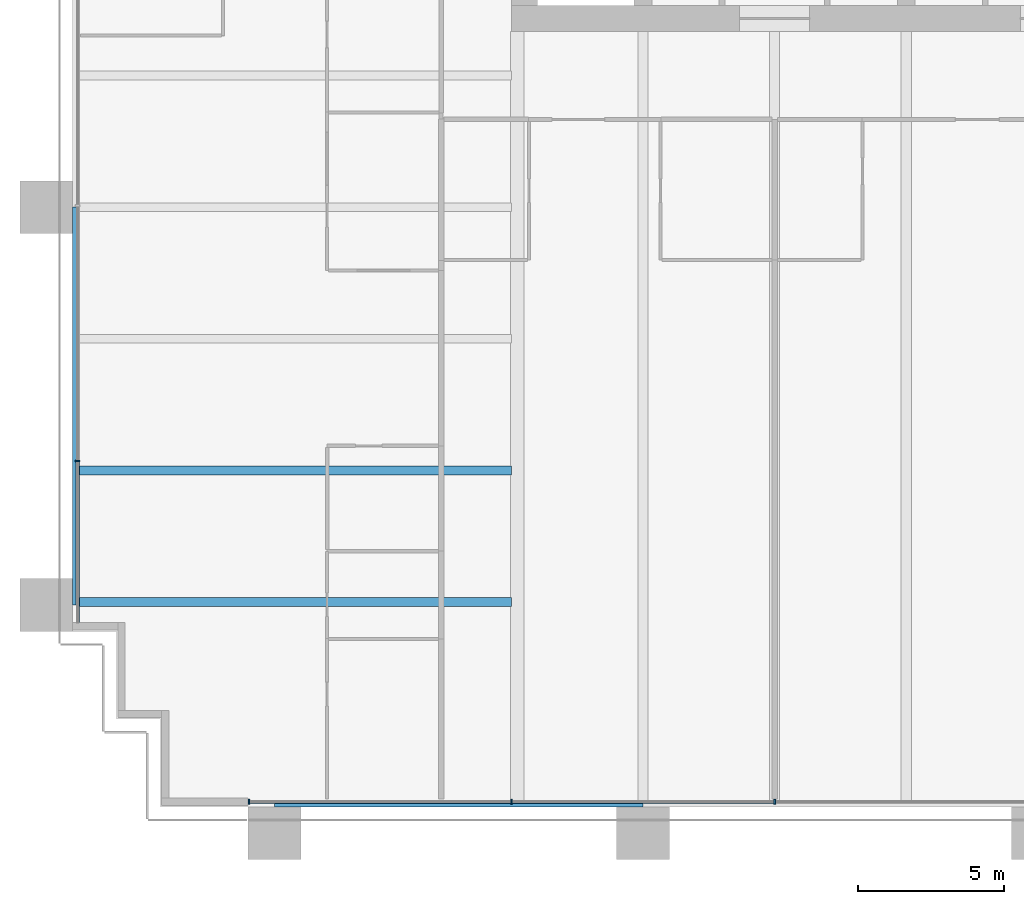
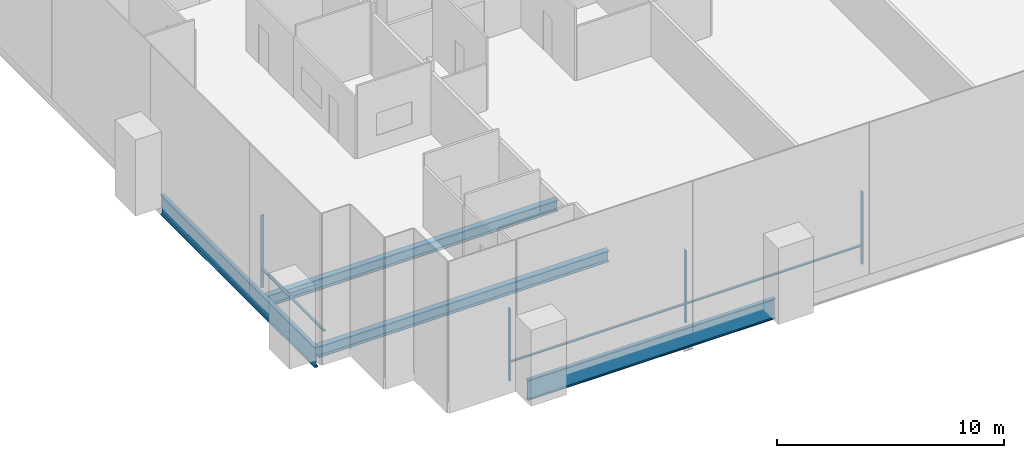
# One storey, part 2 of 18: 7 members, 4 beams, 2 elements without a shape of their own.
"""IFC4 building model written with IfcOpenShell, lengths in metres."""

from ifc_helpers import new_model, si_unit, direction, frame, origin, origin_2d, place, context, subcontext, project, spatial, rectangle, i_section, extrude, material, material_profile, profile_set, type_object, element, aggregate, save


model = new_model("IFC4")

# Units and contexts
model_context = context("Model", 3, precision=1e-05, world=origin(), true_north=direction((0.0, 1.0)))
body_context = subcontext(model_context, "Body", "Model", "MODEL_VIEW")
ifc_project = project(units=[si_unit("LENGTHUNIT", "METRE"), si_unit("AREAUNIT", "SQUARE_METRE"), si_unit("VOLUMEUNIT", "CUBIC_METRE"), si_unit("PLANEANGLEUNIT", "RADIAN"), si_unit("MASSUNIT", "GRAM", prefix="KILO")], contexts=[model_context])

# Site, building, storey
site_placement = place(None, origin())
site = spatial("IfcSite", under=ifc_project, at=site_placement, CompositionType="ELEMENT")
building_placement = place(site_placement, origin())
building = spatial("IfcBuilding", under=site, at=building_placement, Name="Rattan Terrace Tower", CompositionType="ELEMENT")
storey_placement = place(building_placement, frame((0.0, 0.0, 32.39990234375)))
storey = spatial("IfcBuildingStorey", under=building, at=storey_placement, Name="L06", CompositionType="ELEMENT", Elevation=32.39990234375)

# Curtain wall, member
ifc_material_1 = material(Name="Aluminium and glass", Category="aluminium")
curtain_wall_type = type_object("IfcCurtainWallType", Name="Facade Unitised Curtain Wall", PredefinedType="NOTDEFINED", material=ifc_material_1)
curtain_wall_1_placement = place(storey_placement, origin())
curtain_wall_1 = element("IfcCurtainWall", 1, at=curtain_wall_1_placement, inside=storey, type_object=curtain_wall_type, Name="Curtain wall L06-3", PredefinedType="NOTDEFINED")
ifc_material_2 = material(Name="Aluminium", Category="aluminium")
ifc_material_profile_1 = material_profile(ifc_material_2, rectangle(XDim=0.06005859375, YDim=0.159912109375, at=origin_2d()), Name="Aluminium 60x160")
ifc_profile_set_1 = profile_set([ifc_material_profile_1], Name="Aluminium")
member_type_1 = type_object("IfcMemberType", Name="Facade CW Mullion 60x160", PredefinedType="MULLION", material=ifc_profile_set_1)
member_1_placement = place(storey_placement, frame((-32.830078125, -22.180908203125, 0.0), z_axis=(0.0, 0.0, 1.0), x_axis=(0.0, -1.0, 0.0)))
member_1 = element("IfcMember", 2, at=member_1_placement, type_object=member_type_1, Name="Mullion cwl-L06-003.4", PredefinedType="MULLION", context=body_context, shape_type="SweptSolid", body=[
    extrude(rectangle(XDim=0.06005859375, YDim=0.159912109375, at=origin_2d()), origin(), (0.0, 0.0, 1.0), 3.900146484375),
])

# Curtain wall, members
curtain_wall_2_placement = place(storey_placement, origin())
curtain_wall_2 = element("IfcCurtainWall", 3, at=curtain_wall_2_placement, inside=storey, type_object=curtain_wall_type, Name="Curtain wall L06-4", PredefinedType="NOTDEFINED")
member_2_placement = place(storey_placement, frame((-26.969970703125, -33.830078125, 0.0), z_axis=(0.0, 0.0, 1.0), x_axis=(1.0, 0.0, 0.0)))
member_2 = element("IfcMember", 4, at=member_2_placement, type_object=member_type_1, Name="Mullion cwl-L06-004.1", PredefinedType="MULLION", context=body_context, shape_type="SweptSolid", body=[
    extrude(rectangle(XDim=0.06005859375, YDim=0.159912109375, at=origin_2d()), origin(), (0.0, 0.0, 1.0), 3.900146484375),
])
member_3_placement = place(storey_placement, frame((-18.0, -33.830078125, 0.0), z_axis=(0.0, 0.0, 1.0), x_axis=(1.0, 0.0, 0.0)))
member_3 = element("IfcMember", 5, at=member_3_placement, type_object=member_type_1, Name="Mullion cwl-L06-004.2", PredefinedType="MULLION", context=body_context, shape_type="SweptSolid", body=[
    extrude(rectangle(XDim=0.06005859375, YDim=0.159912109375, at=origin_2d()), origin(), (0.0, 0.0, 1.0), 3.900146484375),
])
member_4_placement = place(storey_placement, frame((-9.0, -33.830078125, 0.0), z_axis=(0.0, 0.0, 1.0), x_axis=(1.0, 0.0, 0.0)))
member_4 = element("IfcMember", 6, at=member_4_placement, type_object=member_type_1, Name="Mullion cwl-L06-004.3", PredefinedType="MULLION", context=body_context, shape_type="SweptSolid", body=[
    extrude(rectangle(XDim=0.06005859375, YDim=0.159912109375, at=origin_2d()), origin(), (0.0, 0.0, 1.0), 3.900146484375),
])

# Member
ifc_material_3 = material(Name="Aluminium", Category="aluminium")
ifc_material_profile_2 = material_profile(ifc_material_3, rectangle(XDim=0.1201171875, YDim=0.06005859375, at=origin_2d()), Name="Aluminium 120x60")
ifc_profile_set_2 = profile_set([ifc_material_profile_2], Name="Aluminium")
member_type_2 = type_object("IfcMemberType", Name="Facade CW Transom 120x60", PredefinedType="USERDEFINED", material=ifc_profile_set_2)
member_5_placement = place(storey_placement, frame((-32.830078125, -22.2109375, 1.0), z_axis=(0.0, -1.0, 0.0), x_axis=(1.0, 0.0, 0.0)))
member_5 = element("IfcMember", 7, at=member_5_placement, type_object=member_type_2, Name="Transom cwl-L06-003.4", ObjectType="TRANSOM", PredefinedType="USERDEFINED", context=body_context, shape_type="SweptSolid", body=[
    extrude(rectangle(XDim=0.1201171875, YDim=0.06005859375, at=origin_2d()), origin(), (0.0, 0.0, 1.0), 5.494140625),
])

aggregate(curtain_wall_1, [member_1, member_5])

member_6_placement = place(storey_placement, frame((-26.93994140625, -33.830078125, 1.0), z_axis=(1.0, 0.0, 0.0), x_axis=(0.0, 1.0, 0.0)))
member_6 = element("IfcMember", 8, at=member_6_placement, type_object=member_type_2, Name="Transom cwl-L06-004.1", ObjectType="TRANSOM", PredefinedType="USERDEFINED", context=body_context, shape_type="SweptSolid", body=[
    extrude(rectangle(XDim=0.1201171875, YDim=0.06005859375, at=origin_2d()), origin(), (0.0, 0.0, 1.0), 8.909912109375),
])

member_7_placement = place(storey_placement, frame((-17.969970703125, -33.830078125, 1.0), z_axis=(1.0, 0.0, 0.0), x_axis=(0.0, 1.0, 0.0)))
member_7 = element("IfcMember", 9, at=member_7_placement, type_object=member_type_2, Name="Transom cwl-L06-004.2", ObjectType="TRANSOM", PredefinedType="USERDEFINED", context=body_context, shape_type="SweptSolid", body=[
    extrude(rectangle(XDim=0.1201171875, YDim=0.06005859375, at=origin_2d()), origin(), (0.0, 0.0, 1.0), 8.93994140625),
])

aggregate(curtain_wall_2, [member_2, member_3, member_4, member_6, member_7])

# Beams
ifc_material_4 = material(Name="Steel S460", Category="steel")
ifc_material_profile_3 = material_profile(ifc_material_4, i_section(OverallWidth=0.179931640625, OverallDepth=1.10009765625, WebThickness=0.01611328125, FlangeThickness=0.050048828125, at=origin_2d()), Name="PG 1100x180-16-50")
ifc_profile_set_3 = profile_set([ifc_material_profile_3], Name="Steel S460")
beam_type_1 = type_object("IfcBeamType", Name="Frame edge girder PG 1100x180-16-50", PredefinedType="SPANDREL", material=ifc_profile_set_3)
beam_1_placement = place(storey_placement, frame((-26.10009765625, -33.909912109375, -0.75), z_axis=(1.0, 0.0, 0.0), x_axis=(0.0, 1.0, 0.0)))
element("IfcBeam", 10, at=beam_1_placement, inside=storey, type_object=beam_type_1, Name="gdr-L06-001", PredefinedType="SPANDREL", context=body_context, shape_type="SweptSolid", body=[
    extrude(i_section(OverallWidth=0.179931640625, OverallDepth=1.10009765625, WebThickness=0.01611328125, FlangeThickness=0.050048828125, at=origin_2d()), origin(), (0.0, 0.0, 1.0), 12.60009765625),
])
beam_2_placement = place(storey_placement, frame((-32.909912109375, -13.5, -0.75), z_axis=(0.0, -1.0, 0.0), x_axis=(1.0, 0.0, 0.0)))
element("IfcBeam", 11, at=beam_2_placement, inside=storey, type_object=beam_type_1, Name="gdr-L06-006", PredefinedType="SPANDREL", context=body_context, shape_type="SweptSolid", body=[
    extrude(i_section(OverallWidth=0.179931640625, OverallDepth=1.10009765625, WebThickness=0.01611328125, FlangeThickness=0.050048828125, at=origin_2d()), origin(), (0.0, 0.0, 1.0), 13.60009765625),
])
ifc_material_5 = material(Name="Steel S355", Category="steel")
ifc_material_profile_4 = material_profile(ifc_material_5, i_section(OverallWidth=0.300048828125, OverallDepth=0.60009765625, WebThickness=0.015380859375, FlangeThickness=0.030029296875, FilletRadius=0.027099609375, at=origin_2d()), Name="HE 600 B")
ifc_profile_set_4 = profile_set([ifc_material_profile_4], Name="Steel S355")
beam_type_2 = type_object("IfcBeamType", Name="Frame floor beam HE 600 B", PredefinedType="JOIST", material=ifc_profile_set_4)
for number, where, z_axis, x_axis, name in (
    (12, (-32.820068359375, -27.0, -0.5), (1.0, 0.0, 0.0), (0.0, 1.0, 0.0), "bm-L06-010"),
    (13, (-32.820068359375, -22.5, -0.5), (1.0, 0.0, 0.0), (0.0, 1.0, 0.0), "bm-L06-012"),
):
    element("IfcBeam", number, at=place(storey_placement, frame(where, z_axis=z_axis, x_axis=x_axis)), inside=storey, type_object=beam_type_2, Name=name, PredefinedType="JOIST", context=body_context, shape_type="SweptSolid", body=[
        extrude(i_section(OverallWidth=0.300048828125, OverallDepth=0.60009765625, WebThickness=0.015380859375, FlangeThickness=0.030029296875, FilletRadius=0.027099609375, at=origin_2d()), origin(), (0.0, 0.0, 1.0), 14.820068359375),
    ])

save(model, "model.ifc")
